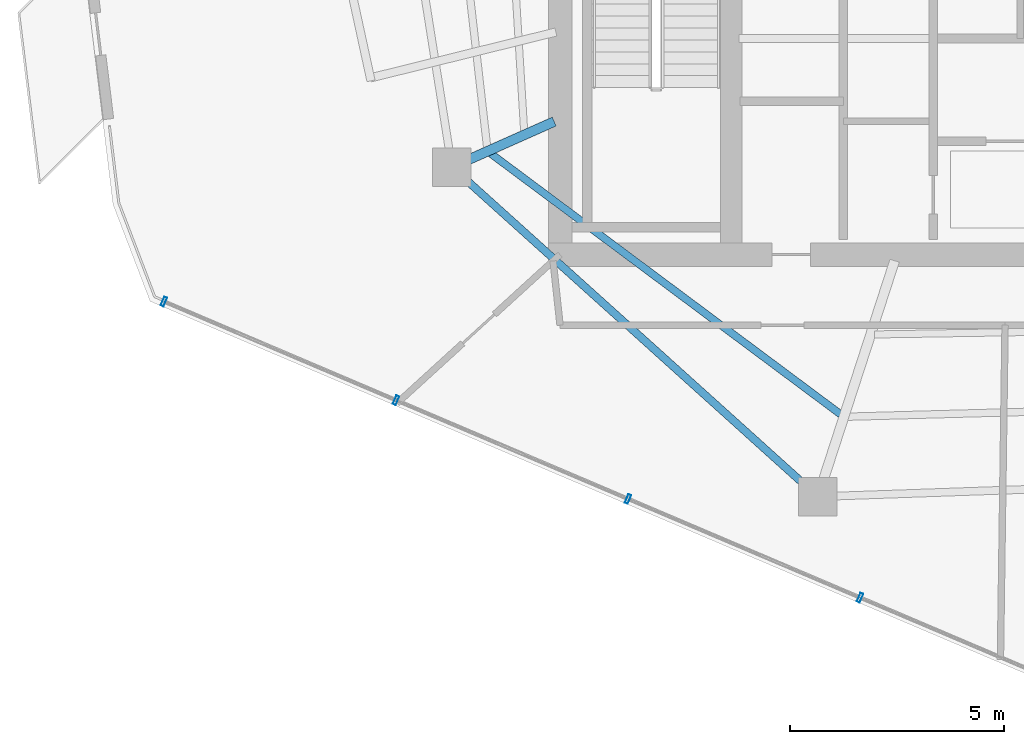
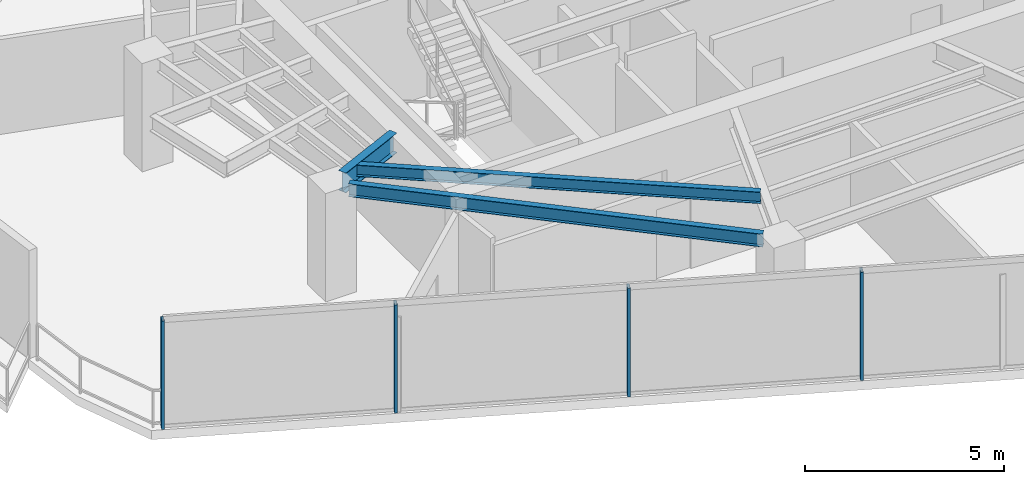
# One storey, part 2 of 18: 4 members, 3 beams, 1 element without a shape of its own.
"""IFC4 building model written with IfcOpenShell, lengths in metres."""

from ifc_helpers import new_model, si_unit, direction, frame, origin, origin_2d, place, context, subcontext, project, spatial, hollow_rectangle, i_section, extrude, material, layer, layer_set, material_profile, profile_set, type_object, element, aggregate, save


model = new_model("IFC4")

# Units and contexts
model_context = context("Model", 3, precision=1e-05, world=origin(), true_north=direction((0.0, 1.0)))
body_context = subcontext(model_context, "Body", "Model", "MODEL_VIEW")
ifc_project = project(units=[si_unit("LENGTHUNIT", "METRE"), si_unit("AREAUNIT", "SQUARE_METRE"), si_unit("VOLUMEUNIT", "CUBIC_METRE"), si_unit("PLANEANGLEUNIT", "RADIAN"), si_unit("MASSUNIT", "GRAM", prefix="KILO")], contexts=[model_context])

# Site, building, storey
site_placement = place(None, origin())
site = spatial("IfcSite", under=ifc_project, at=site_placement, CompositionType="ELEMENT")
building_placement = place(site_placement, origin())
building = spatial("IfcBuilding", under=site, at=building_placement, Name="Qarnah Convention Tower", CompositionType="ELEMENT")
storey_placement = place(building_placement, frame((0.0, 0.0, 205.800048828125)))
storey = spatial("IfcBuildingStorey", under=building, at=storey_placement, Name="L55", CompositionType="ELEMENT", Elevation=205.800048828125)

# Beams
ifc_material_1 = material(Name="Structural steel S355JR", Category="steel")
ifc_material_profile_1 = material_profile(ifc_material_1, i_section(OverallWidth=0.172119140625, OverallDepth=0.35595703125, WebThickness=0.007080078125, FlangeThickness=0.011962890625, at=origin_2d()), Name="W360X51")
ifc_profile_set_1 = profile_set([ifc_material_profile_1], Name="Structural steel S355JR")
beam_type_1 = type_object("IfcBeamType", Name="BM-JST-W360", PredefinedType="JOIST", material=ifc_profile_set_1)
beam_1_placement = place(storey_placement, frame((25.178955078125, 20.9619140625, 3.141845703125), z_axis=(0.801850688626, -0.597524454019, 0.0), x_axis=(0.597524454019, 0.801850688626, 0.0)))
element("IfcBeam", 1, at=beam_1_placement, inside=storey, type_object=beam_type_1, Name="L55 joist BM-L55-SJST-06", PredefinedType="JOIST", context=body_context, shape_type="SweptSolid", body=[
    extrude(i_section(OverallWidth=0.172119140625, OverallDepth=0.35595703125, WebThickness=0.007080078125, FlangeThickness=0.011962890625, at=origin_2d()), origin(), (0.0, 0.0, 1.0), 10.205322265625),
])
ifc_material_profile_2 = material_profile(ifc_material_1, i_section(OverallWidth=0.22802734375, OverallDepth=0.60791015625, WebThickness=0.010986328125, FlangeThickness=0.01708984375, at=origin_2d()), Name="W610X113")
ifc_profile_set_2 = profile_set([ifc_material_profile_2], Name="Structural steel S355JR")
beam_type_2 = type_object("IfcBeamType", Name="BM-RAD-W610B", PredefinedType="BEAM", material=ifc_profile_set_2)
beam_2_placement = place(storey_placement, frame((26.6630859375, 21.708984375, 3.015869140625), z_axis=(-0.913585734164, -0.406646168471, 0.0), x_axis=(0.406646168471, -0.913585734164, 0.0)))
element("IfcBeam", 2, at=beam_2_placement, inside=storey, type_object=beam_type_2, Name="L55 beam BM-L55-RAD-06", PredefinedType="BEAM", context=body_context, shape_type="SweptSolid", body=[
    extrude(i_section(OverallWidth=0.22802734375, OverallDepth=0.60791015625, WebThickness=0.010986328125, FlangeThickness=0.01708984375, at=origin_2d()), origin(), (0.0, 0.0, 1.0), 2.18603515625),
])
ifc_material_profile_3 = material_profile(ifc_material_1, i_section(OverallWidth=0.179931640625, OverallDepth=0.39990234375, WebThickness=0.009033203125, FlangeThickness=0.013916015625, at=origin_2d()), Name="IPE400")
ifc_profile_set_3 = profile_set([ifc_material_profile_3], Name="Structural steel S355JR")
beam_type_3 = type_object("IfcBeamType", Name="BM-SPN-IPE400", PredefinedType="SPANDREL", material=ifc_profile_set_3)
beam_3_placement = place(storey_placement, frame((24.60009765625, 20.35107421875, 3.119873046875), z_axis=(0.743102275255, -0.669177860147, 0.0), x_axis=(0.669177860147, 0.743102275255, 0.0)))
element("IfcBeam", 3, at=beam_3_placement, inside=storey, type_object=beam_type_3, Name="L55 spandrel BM-L55-SPN-06", PredefinedType="SPANDREL", context=body_context, shape_type="SweptSolid", body=[
    extrude(i_section(OverallWidth=0.179931640625, OverallDepth=0.39990234375, WebThickness=0.009033203125, FlangeThickness=0.013916015625, at=origin_2d()), origin(), (0.0, 0.0, 1.0), 10.630859375),
])

# Curtain wall, members
ifc_material_2 = material(Name="Tempered Low-E dark glass", Category="glass")
ifc_layer = layer(ifc_material_2, 0.174072265625)
ifc_layer_set = layer_set([ifc_layer], Name="Tempered Low-E dark glass")
curtain_wall_type = type_object("IfcCurtainWallType", Name="CWS-04", PredefinedType="NOTDEFINED", material=ifc_layer_set)
curtain_wall_placement = place(storey_placement, origin())
curtain_wall = element("IfcCurtainWall", 4, at=curtain_wall_placement, inside=storey, type_object=curtain_wall_type, Name="L55 unitised curtain wall CW-L55-F1", PredefinedType="NOTDEFINED")
ifc_material_3 = material(Name="Black anodised aluminium", Category="aluminium")
ifc_material_profile_4 = material_profile(ifc_material_3, hollow_rectangle(XDim=0.074951171875, YDim=0.219970703125, WallThickness=0.0048828125, at=origin_2d()), Name="MUL-75X220")
ifc_profile_set_4 = profile_set([ifc_material_profile_4], Name="Black anodised aluminium")
member_type = type_object("IfcMemberType", Name="MUL-T4", PredefinedType="MULLION", material=ifc_profile_set_4)
member_1_placement = place(storey_placement, frame((33.812255859375, 10.582275390625, 0.0), z_axis=(0.0, 0.0, 1.0), x_axis=(-0.920229798126, 0.391378485155, 0.0)))
member_1 = element("IfcMember", 5, at=member_1_placement, type_object=member_type, Name="CW-L55-F1 mullion 3", PredefinedType="MULLION", context=body_context, shape_type="SweptSolid", body=[
    extrude(hollow_rectangle(XDim=0.074951171875, YDim=0.219970703125, WallThickness=0.0048828125, at=origin_2d()), origin(), (0.0, 0.0, 1.0), 3.320068359375),
])
member_2_placement = place(storey_placement, frame((28.388916015625, 12.888916015625, 0.0), z_axis=(0.0, 0.0, 1.0), x_axis=(-0.920229798126, 0.391378485155, 0.0)))
member_2 = element("IfcMember", 6, at=member_2_placement, type_object=member_type, Name="CW-L55-F1 mullion 4", PredefinedType="MULLION", context=body_context, shape_type="SweptSolid", body=[
    extrude(hollow_rectangle(XDim=0.074951171875, YDim=0.219970703125, WallThickness=0.0048828125, at=origin_2d()), origin(), (0.0, 0.0, 1.0), 3.320068359375),
])
member_3_placement = place(storey_placement, frame((22.96533203125, 15.1953125, 0.0), z_axis=(0.0, 0.0, 1.0), x_axis=(-0.920229798126, 0.391378485155, 0.0)))
member_3 = element("IfcMember", 7, at=member_3_placement, type_object=member_type, Name="CW-L55-F1 mullion 5", PredefinedType="MULLION", context=body_context, shape_type="SweptSolid", body=[
    extrude(hollow_rectangle(XDim=0.074951171875, YDim=0.219970703125, WallThickness=0.0048828125, at=origin_2d()), origin(), (0.0, 0.0, 1.0), 3.320068359375),
])
member_4_placement = place(storey_placement, frame((17.5419921875, 17.501953125, 0.0), z_axis=(0.0, 0.0, 1.0), x_axis=(-0.920229798126, 0.391378485155, 0.0)))
member_4 = element("IfcMember", 8, at=member_4_placement, type_object=member_type, Name="CW-L55-F1 mullion 6", PredefinedType="MULLION", context=body_context, shape_type="SweptSolid", body=[
    extrude(hollow_rectangle(XDim=0.074951171875, YDim=0.219970703125, WallThickness=0.0048828125, at=origin_2d()), origin(), (0.0, 0.0, 1.0), 3.320068359375),
])
aggregate(curtain_wall, [member_1, member_2, member_3, member_4])

save(model, "model.ifc")
